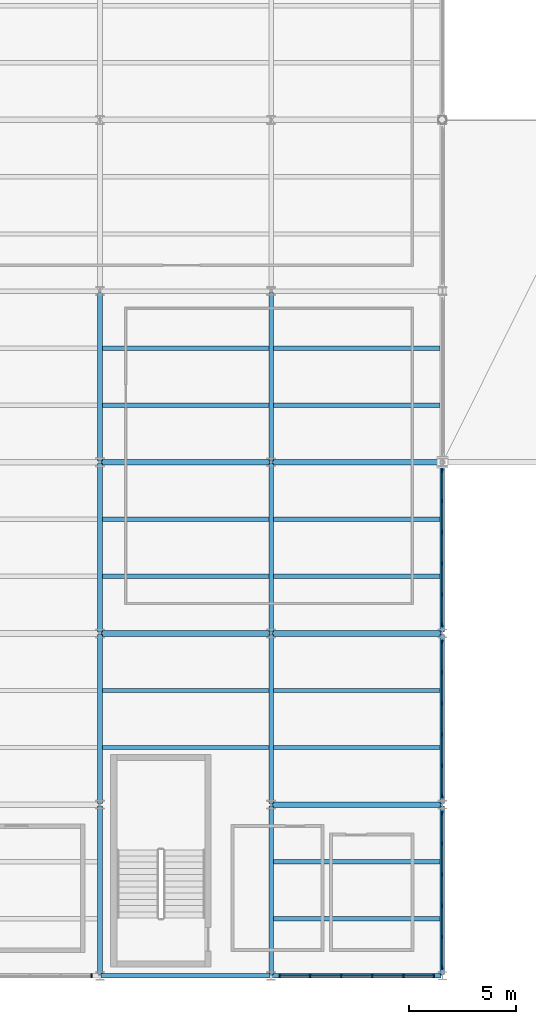
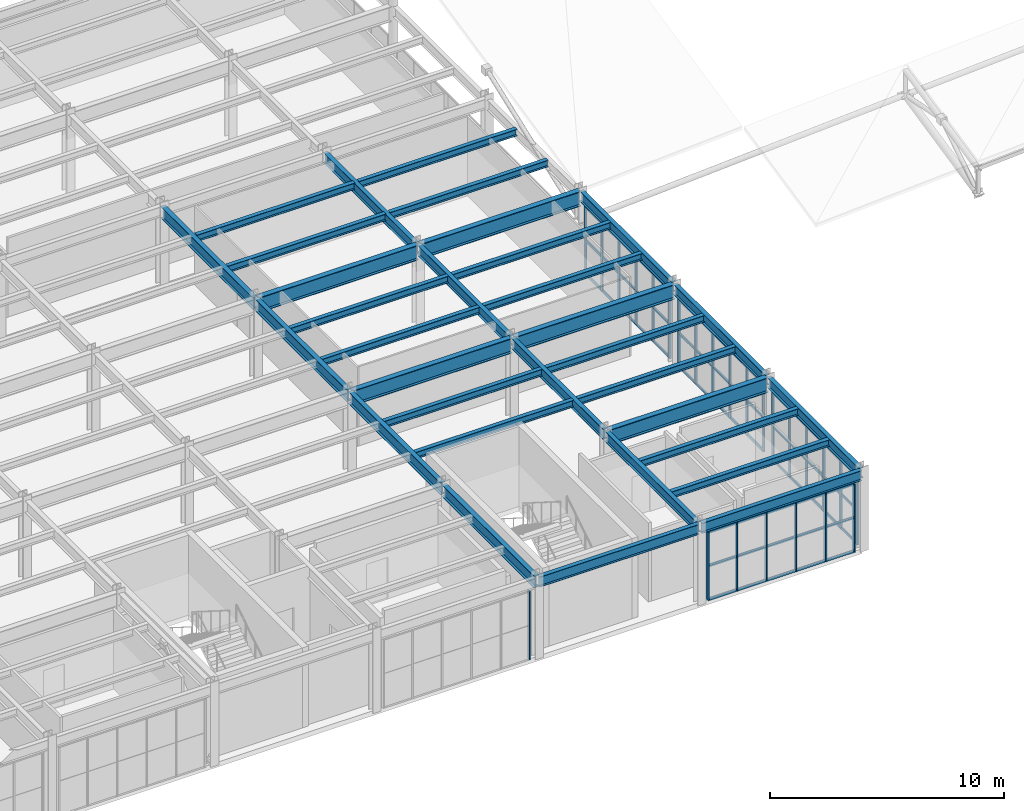
# One storey, part 16 of 83: 37 members, 32 beams, 5 elements without a shape of their own.
"""IFC4 building model written with IfcOpenShell, lengths in metres."""

import ifcopenshell
import ifcopenshell.guid

model = None  # the IFC model being written
_history = None  # IfcOwnerHistory: only IFC2X3 demands one
_inside = {}  # id of a spatial element -> (the spatial element, [elements in it])
_under = {}  # id of a project, library or spatial element -> (it, [spatial elements below it])
_declared = {}  # id of a project -> (the project, [libraries it declares])
_typed = {}  # id of a type object -> (the type object, [elements of that type])
_made_of = {}  # id of a material, layer set ... -> (it, [elements and type objects made of it])


def new_model(schema):
    """Start an empty IFC model of exactly this schema.

    Asked for "IFC4X3", IfcOpenShell would pick the latest addendum, in which some entities
    have other attributes; the version numbers below select the first issue.
    IFC2X3 requires an IfcOwnerHistory on every rooted entity: one is made here for all.
    """
    global model, _history
    if schema == "IFC4X3":
        model = ifcopenshell.file(schema_version=(4, 3, 0, 0))
    else:
        model = ifcopenshell.file(schema=schema)
    _inside.clear()
    _under.clear()
    _declared.clear()
    _typed.clear()
    _made_of.clear()
    _history = None
    if model.schema == "IFC2X3":
        org = make("IfcOrganization", Name="unknown")
        user = make(
            "IfcPersonAndOrganization",
            ThePerson=make("IfcPerson", FamilyName="unknown"),
            TheOrganization=org,
        )
        app = make(
            "IfcApplication",
            ApplicationDeveloper=org,
            Version="unknown",
            ApplicationFullName="unknown",
            ApplicationIdentifier="unknown",
        )
        _history = make(
            "IfcOwnerHistory",
            OwningUser=user,
            OwningApplication=app,
            ChangeAction="ADDED",
            CreationDate=0,
        )
    return model


def make(cls, **values):
    """One entity of the class cls with the attributes given. An attribute that is None is left unset."""
    return model.create_entity(
        cls, **{name: value for name, value in values.items() if value is not None}
    )


def rooted(cls, **values):
    """An entity with a GlobalId (a new one), such as an element, a storey or a relation."""
    return make(cls, GlobalId=ifcopenshell.guid.new(), OwnerHistory=_history, **values)


def si_unit(unit_type, name, prefix=None):
    """IfcSIUnit, for example si_unit("LENGTHUNIT", "METRE", prefix="MILLI")."""
    return make("IfcSIUnit", UnitType=unit_type, Prefix=prefix, Name=name)


def assignment(units):
    """IfcUnitAssignment: the units of a project."""
    return None if units is None else make("IfcUnitAssignment", Units=units)


def point(xyz):
    """IfcCartesianPoint."""
    return None if xyz is None else make("IfcCartesianPoint", Coordinates=xyz)


def direction(xyz):
    """IfcDirection."""
    return None if xyz is None else make("IfcDirection", DirectionRatios=xyz)


def frame(location, z_axis=None, x_axis=None):
    """IfcAxis2Placement3D, a coordinate frame: its origin and axes. An axis left out is left unset."""
    return make(
        "IfcAxis2Placement3D",
        Location=point(location),
        Axis=direction(z_axis),
        RefDirection=direction(x_axis),
    )


def frame_2d(location, x_axis=None):
    """IfcAxis2Placement2D, a coordinate frame in the plane: its origin and x axis."""
    return make(
        "IfcAxis2Placement2D", Location=point(location), RefDirection=direction(x_axis)
    )


def origin():
    """The frame at (0, 0, 0) with its axes left unset."""
    return frame((0.0, 0.0, 0.0))


def origin_2d():
    """The frame at (0, 0) in the plane with its x axis left unset."""
    return frame_2d((0.0, 0.0))


def place(relative_to, where):
    """IfcLocalPlacement: puts the frame where relative to a parent placement (None: the world)."""
    return make(
        "IfcLocalPlacement", PlacementRelTo=relative_to, RelativePlacement=where
    )


def context(
    kind, dimensions, precision=None, world=None, true_north=None, identifier=None
):
    """IfcGeometricRepresentationContext, for example the 3D "Model" context."""
    return make(
        "IfcGeometricRepresentationContext",
        ContextIdentifier=identifier,
        ContextType=kind,
        CoordinateSpaceDimension=dimensions,
        Precision=precision,
        WorldCoordinateSystem=world,
        TrueNorth=true_north,
    )


def subcontext(parent, identifier, kind, view, scale=None):
    """IfcGeometricRepresentationSubContext, for example "Body" below "Model"."""
    return make(
        "IfcGeometricRepresentationSubContext",
        ContextIdentifier=identifier,
        ContextType=kind,
        ParentContext=parent,
        TargetScale=scale,
        TargetView=view,
    )


def project(units=None, contexts=None):
    """IfcProject with its units and contexts."""
    return rooted(
        "IfcProject",
        Name="project",
        RepresentationContexts=contexts,
        UnitsInContext=assignment(units),
    )


def spatial(cls, under=None, at=None, **own):
    """A site, building, storey or space (cls), placed at a placement, below another one or the project."""
    s = rooted(cls, ObjectPlacement=at, **own)
    if under is not None:
        _under.setdefault(under.id(), (under, []))[1].append(s)
    return s


def profile(cls, at=None, kind="AREA", **sizes):
    """A parametric profile (cls). Its sizes go by their IFC names, for example OverallWidth=200.0."""
    return make(cls, ProfileType=kind, Position=at, **sizes)


def rectangle(**sizes):
    """IfcRectangleProfileDef."""
    return profile("IfcRectangleProfileDef", **sizes)


def i_section(**sizes):
    """IfcIShapeProfileDef."""
    return profile("IfcIShapeProfileDef", **sizes)


def extrude(swept, where, along, depth):
    """IfcExtrudedAreaSolid: the profile swept, set in the frame where, extruded along a direction by depth."""
    return make(
        "IfcExtrudedAreaSolid",
        SweptArea=swept,
        Position=where,
        ExtrudedDirection=direction(along),
        Depth=depth,
    )


def shape(context_of_items, identifier, shape_type, items):
    """IfcShapeRepresentation: the items that make up one representation, for example the "Body"."""
    return make(
        "IfcShapeRepresentation",
        ContextOfItems=context_of_items,
        RepresentationIdentifier=identifier,
        RepresentationType=shape_type,
        Items=items,
    )


def material(Name=None, Category=None):
    """IfcMaterial."""
    return make("IfcMaterial", Name=Name, Category=Category)


def material_profile(
    of_material, cross_section, Name=None, Category=None, Priority=None
):
    """IfcMaterialProfile: a cross section and its material."""
    return make(
        "IfcMaterialProfile",
        Name=Name,
        Material=of_material,
        Profile=cross_section,
        Priority=Priority,
        Category=Category,
    )


def profile_set(profiles, Name=None, composite=None):
    """IfcMaterialProfileSet."""
    return make(
        "IfcMaterialProfileSet",
        Name=Name,
        MaterialProfiles=profiles,
        CompositeProfile=composite,
    )


def made_of(thing, what):
    """Note that an element or type object is made of a material, layer set ...; save() writes the relation."""
    if what is not None:
        _made_of.setdefault(what.id(), (what, []))[1].append(thing)
    return thing


def type_object(cls, material=None, **own):
    """A type object (cls), such as IfcWallType, which elements share."""
    return made_of(rooted(cls, **own), material)


def element(
    cls,
    number,
    at=None,
    inside=None,
    cuts=None,
    type_object=None,
    material=None,
    context=None,
    identifier="Body",
    shape_type=None,
    held_by="IfcProductDefinitionShape",
    body=None,
    shapes=None,
    **own,
):
    """One element of the class cls, such as IfcWall. Its Tag is "e" and its number.

    at: its placement. inside: the storey or other place that contains it. cuts: it is an
    opening in that element (IfcRelVoidsElement). A single representation is given by context,
    identifier, shape_type and body (its items); several are given by shapes. held_by: the class
    of the entity that holds the representations. save() writes the other relations.
    """
    e = rooted(cls, Tag="e%d" % number, ObjectPlacement=at, **own)
    if body is not None:
        shapes = [shape(context, identifier, shape_type, body)]
    if shapes is not None:
        e.Representation = make(held_by, Representations=shapes)
    if inside is not None:
        _inside.setdefault(inside.id(), (inside, []))[1].append(e)
    if cuts is not None:
        rooted(
            "IfcRelVoidsElement", RelatingBuildingElement=cuts, RelatedOpeningElement=e
        )
    if type_object is not None:
        _typed.setdefault(type_object.id(), (type_object, []))[1].append(e)
    return made_of(e, material)


def aggregate(whole, parts):
    """IfcRelAggregates: a whole, such as a stair, and the parts it consists of."""
    return rooted("IfcRelAggregates", RelatingObject=whole, RelatedObjects=parts)


def save(model, path):
    """Write the relations noted so far, then the file.

    IfcRelAggregates (storeys below a building ...), IfcRelContainedInSpatialStructure (elements
    in a storey), IfcRelDefinesByType, IfcRelAssociatesMaterial and IfcRelDeclares: one each for
    every whole, place, type object, material and project.
    """
    for whole, parts in _under.values():
        aggregate(whole, parts)
    for where, things in _inside.values():
        rooted(
            "IfcRelContainedInSpatialStructure",
            RelatedElements=things,
            RelatingStructure=where,
        )
    for kind, things in _typed.values():
        rooted("IfcRelDefinesByType", RelatedObjects=things, RelatingType=kind)
    for what, things in _made_of.values():
        rooted("IfcRelAssociatesMaterial", RelatedObjects=things, RelatingMaterial=what)
    for by, libraries in _declared.values():
        rooted("IfcRelDeclares", RelatingContext=by, RelatedDefinitions=libraries)
    model.write(path)


model = new_model("IFC4")

# Units and contexts
model_context = context("Model", 3, precision=1e-05, world=origin(), true_north=direction((0.0, 1.0)))
body_context = subcontext(model_context, "Body", "Model", "MODEL_VIEW")
ifc_project = project(units=[si_unit("LENGTHUNIT", "METRE"), si_unit("AREAUNIT", "SQUARE_METRE"), si_unit("VOLUMEUNIT", "CUBIC_METRE"), si_unit("PLANEANGLEUNIT", "RADIAN"), si_unit("MASSUNIT", "GRAM", prefix="KILO")], contexts=[model_context])

# Site, building, storey
site_placement = place(None, origin())
site = spatial("IfcSite", under=ifc_project, at=site_placement, CompositionType="ELEMENT")
building_placement = place(site_placement, origin())
building = spatial("IfcBuilding", under=site, at=building_placement, Name="Drelvath Fold Interchange", CompositionType="ELEMENT")
storey_placement = place(building_placement, frame((0.0, 0.0, 11.199951171875)))
storey = spatial("IfcBuildingStorey", under=building, at=storey_placement, Name="L02", CompositionType="ELEMENT", Elevation=11.199951171875)

# Beams
ifc_material_1 = material(Name="Steel ASTM A992 Grade 50", Category="steel")
ifc_material_profile_1 = material_profile(ifc_material_1, i_section(OverallWidth=0.205078125, OverallDepth=0.35400390625, WebThickness=0.009521484375, FlangeThickness=0.016845703125, at=origin_2d()), Name="W14X53")
ifc_profile_set_1 = profile_set([ifc_material_profile_1], Name="Steel ASTM A992 Grade 50")
beam_type_1 = type_object("IfcBeamType", Name="BM-W14X53", PredefinedType="JOIST", material=ifc_profile_set_1)
for number, where, z_axis, x_axis, name in (
    (1, (36.113037109375, 13.6669921875, 3.9931640625), (1.0, 0.0, 0.0), (0.0, 1.0, 0.0), "L02 Secondary floor joist BM-W14X53"),
    (2, (36.113037109375, 16.3330078125, 3.9931640625), (1.0, 0.0, 0.0), (0.0, 1.0, 0.0), "L02 Secondary floor joist BM-W14X53"),
    (3, (36.113037109375, 21.6669921875, 3.9931640625), (1.0, 0.0, 0.0), (0.0, 1.0, 0.0), "L02 Secondary floor joist BM-W14X53"),
    (4, (36.113037109375, 24.3330078125, 3.9931640625), (1.0, 0.0, 0.0), (0.0, 1.0, 0.0), "L02 Secondary floor joist BM-W14X53"),
    (5, (36.113037109375, 29.6669921875, 3.9931640625), (1.0, 0.0, 0.0), (0.0, 1.0, 0.0), "L02 Secondary floor joist BM-W14X53"),
    (6, (36.113037109375, 32.3330078125, 3.9931640625), (1.0, 0.0, 0.0), (0.0, 1.0, 0.0), "L02 Secondary floor joist BM-W14X53"),
):
    element("IfcBeam", number, at=place(storey_placement, frame(where, z_axis=z_axis, x_axis=x_axis)), inside=storey, type_object=beam_type_1, Name=name, PredefinedType="JOIST", context=body_context, shape_type="SweptSolid", body=[
        extrude(i_section(OverallWidth=0.205078125, OverallDepth=0.35400390625, WebThickness=0.009521484375, FlangeThickness=0.016845703125, at=origin_2d()), origin(), (0.0, 0.0, 1.0), 7.783935546875),
    ])
for number, where, z_axis, x_axis, name in (
    (7, (44.10302734375, 5.6669921875, 3.9931640625), (1.0, 0.0, 0.0), (0.0, 1.0, 0.0), "L02 Secondary floor joist BM-W14X53"),
    (8, (44.10302734375, 8.3330078125, 3.9931640625), (1.0, 0.0, 0.0), (0.0, 1.0, 0.0), "L02 Secondary floor joist BM-W14X53"),
    (9, (44.10302734375, 13.6669921875, 3.9931640625), (1.0, 0.0, 0.0), (0.0, 1.0, 0.0), "L02 Secondary floor joist BM-W14X53"),
    (10, (44.10302734375, 16.3330078125, 3.9931640625), (1.0, 0.0, 0.0), (0.0, 1.0, 0.0), "L02 Secondary floor joist BM-W14X53"),
    (11, (44.10302734375, 21.6669921875, 3.9931640625), (1.0, 0.0, 0.0), (0.0, 1.0, 0.0), "L02 Secondary floor joist BM-W14X53"),
    (12, (44.10302734375, 24.3330078125, 3.9931640625), (1.0, 0.0, 0.0), (0.0, 1.0, 0.0), "L02 Secondary floor joist BM-W14X53"),
    (13, (44.10302734375, 29.6669921875, 3.9931640625), (1.0, 0.0, 0.0), (0.0, 1.0, 0.0), "L02 Secondary floor joist BM-W14X53"),
    (14, (44.10302734375, 32.3330078125, 3.9931640625), (1.0, 0.0, 0.0), (0.0, 1.0, 0.0), "L02 Secondary floor joist BM-W14X53"),
):
    element("IfcBeam", number, at=place(storey_placement, frame(where, z_axis=z_axis, x_axis=x_axis)), inside=storey, type_object=beam_type_1, Name=name, PredefinedType="JOIST", context=body_context, shape_type="SweptSolid", body=[
        extrude(i_section(OverallWidth=0.205078125, OverallDepth=0.35400390625, WebThickness=0.009521484375, FlangeThickness=0.016845703125, at=origin_2d()), origin(), (0.0, 0.0, 1.0), 7.7939453125),
    ])
ifc_material_profile_2 = material_profile(ifc_material_1, i_section(OverallWidth=0.2099609375, OverallDepth=0.537109375, WebThickness=0.010986328125, FlangeThickness=0.017333984375, at=origin_2d()), Name="W21X68")
ifc_profile_set_2 = profile_set([ifc_material_profile_2], Name="Steel ASTM A992 Grade 50")
beam_type_2 = type_object("IfcBeamType", Name="BM-W21X68", PredefinedType="SPANDREL", material=ifc_profile_set_2)
for number, where, z_axis, x_axis, name in (
    (15, (36.06005859375, 3.0, 3.901123046875), (1.0, 0.0, 0.0), (0.0, 1.0, 0.0), "L02 Primary X girder BM-W21X68"),
    (16, (44.06005859375, 3.0, 3.901123046875), (1.0, 0.0, 0.0), (0.0, 1.0, 0.0), "L02 Primary X girder BM-W21X68"),
    (17, (44.0, 3.06005859375, 3.901123046875), (0.0, 1.0, 0.0), (-1.0, 0.0, 0.0), "L02 Primary Y girder BM-W21X68"),
    (18, (44.0, 11.06005859375, 3.901123046875), (0.0, 1.0, 0.0), (-1.0, 0.0, 0.0), "L02 Primary Y girder BM-W21X68"),
    (19, (44.0, 19.06005859375, 3.901123046875), (0.0, 1.0, 0.0), (-1.0, 0.0, 0.0), "L02 Primary Y girder BM-W21X68"),
    (20, (44.0, 27.06005859375, 3.85205078125), (0.0, 1.0, 0.0), (-1.0, 0.0, 0.0), "L02 Primary Y girder BM-W21X68"),
    (21, (52.0, 3.06005859375, 3.901123046875), (0.0, 1.0, 0.0), (-1.0, 0.0, 0.0), "L02 Primary Y girder BM-W21X68"),
    (22, (52.0, 11.06005859375, 3.901123046875), (0.0, 1.0, 0.0), (-1.0, 0.0, 0.0), "L02 Primary Y girder BM-W21X68"),
    (23, (52.0, 19.06005859375, 3.901123046875), (0.0, 1.0, 0.0), (-1.0, 0.0, 0.0), "L02 Primary Y girder BM-W21X68"),
):
    element("IfcBeam", number, at=place(storey_placement, frame(where, z_axis=z_axis, x_axis=x_axis)), inside=storey, type_object=beam_type_2, Name=name, PredefinedType="SPANDREL", context=body_context, shape_type="SweptSolid", body=[
        extrude(i_section(OverallWidth=0.2099609375, OverallDepth=0.537109375, WebThickness=0.010986328125, FlangeThickness=0.017333984375, at=origin_2d()), origin(), (0.0, 0.0, 1.0), 7.8798828125),
    ])
ifc_material_profile_3 = material_profile(ifc_material_1, i_section(OverallWidth=0.22998046875, OverallDepth=0.616943359375, WebThickness=0.01318359375, FlangeThickness=0.022216796875, at=origin_2d()), Name="W24X94")
ifc_profile_set_3 = profile_set([ifc_material_profile_3], Name="Steel ASTM A992 Grade 50")
beam_type_3 = type_object("IfcBeamType", Name="BM-W24X94", PredefinedType="BEAM", material=ifc_profile_set_3)
for number, where, z_axis, x_axis, name in (
    (24, (36.0, 3.06005859375, 3.861083984375), (0.0, 1.0, 0.0), (-1.0, 0.0, 0.0), "L02 Primary Y girder BM-W24X94"),
    (25, (36.0, 11.06005859375, 3.861083984375), (0.0, 1.0, 0.0), (-1.0, 0.0, 0.0), "L02 Primary Y girder BM-W24X94"),
    (26, (36.0, 19.06005859375, 3.861083984375), (0.0, 1.0, 0.0), (-1.0, 0.0, 0.0), "L02 Primary Y girder BM-W24X94"),
    (27, (36.0, 27.06005859375, 3.81103515625), (0.0, 1.0, 0.0), (-1.0, 0.0, 0.0), "L02 Primary Y girder BM-W24X94"),
):
    element("IfcBeam", number, at=place(storey_placement, frame(where, z_axis=z_axis, x_axis=x_axis)), inside=storey, type_object=beam_type_3, Name=name, PredefinedType="BEAM", context=body_context, shape_type="SweptSolid", body=[
        extrude(i_section(OverallWidth=0.22998046875, OverallDepth=0.616943359375, WebThickness=0.01318359375, FlangeThickness=0.022216796875, at=origin_2d()), origin(), (0.0, 0.0, 1.0), 7.8798828125),
    ])
ifc_material_profile_4 = material_profile(ifc_material_1, i_section(OverallWidth=0.26611328125, OverallDepth=0.779052734375, WebThickness=0.0166015625, FlangeThickness=0.030029296875, at=origin_2d()), Name="W30X148")
ifc_profile_set_4 = profile_set([ifc_material_profile_4], Name="Steel ASTM A992 Grade 50")
beam_type_4 = type_object("IfcBeamType", Name="BM-W30X148", PredefinedType="BEAM", material=ifc_profile_set_4)
for number, where, z_axis, x_axis, name in (
    (28, (44.06005859375, 11.0, 3.780029296875), (1.0, 0.0, 0.0), (0.0, 1.0, 0.0), "L02 Primary X girder BM-W30X148"),
    (29, (36.06005859375, 19.0, 3.780029296875), (1.0, 0.0, 0.0), (0.0, 1.0, 0.0), "L02 Primary X girder BM-W30X148"),
    (30, (44.06005859375, 19.0, 3.780029296875), (1.0, 0.0, 0.0), (0.0, 1.0, 0.0), "L02 Primary X girder BM-W30X148"),
    (31, (36.06005859375, 27.0, 3.780029296875), (1.0, 0.0, 0.0), (0.0, 1.0, 0.0), "L02 Primary X girder BM-W30X148"),
    (32, (44.06005859375, 27.0, 3.780029296875), (1.0, 0.0, 0.0), (0.0, 1.0, 0.0), "L02 Primary X girder BM-W30X148"),
):
    element("IfcBeam", number, at=place(storey_placement, frame(where, z_axis=z_axis, x_axis=x_axis)), inside=storey, type_object=beam_type_4, Name=name, PredefinedType="BEAM", context=body_context, shape_type="SweptSolid", body=[
        extrude(i_section(OverallWidth=0.26611328125, OverallDepth=0.779052734375, WebThickness=0.0166015625, FlangeThickness=0.030029296875, at=origin_2d()), origin(), (0.0, 0.0, 1.0), 7.8798828125),
    ])

# Curtain wall, member
ifc_material_2 = material(Name="Anodized Aluminium 6063-T6", Category="aluminium")
curtain_wall_type = type_object("IfcCurtainWallType", Name="CW-OPS-UPP", PredefinedType="USERDEFINED", material=ifc_material_2)
curtain_wall_1_placement = place(storey_placement, origin())
curtain_wall_1 = element("IfcCurtainWall", 33, at=curtain_wall_1_placement, inside=storey, type_object=curtain_wall_type, Name="Curtain wall CW-V5-L02-S28", ObjectType="UNITISED CURTAIN WALL", PredefinedType="USERDEFINED")
ifc_material_profile_5 = material_profile(ifc_material_2, rectangle(XDim=0.06005859375, YDim=0.175048828125, at=origin_2d()), Name="AL-M 60x175")
ifc_profile_set_5 = profile_set([ifc_material_profile_5], Name="Anodized Aluminium 6063-T6")
member_type_1 = type_object("IfcMemberType", Name="ML-175", PredefinedType="MULLION", material=ifc_profile_set_5)
member_1_placement = place(storey_placement, frame((35.60009765625, 3.0, 0.0), z_axis=(0.0, 0.0, 1.0), x_axis=(1.0, 0.0, 0.0)))
member_1 = element("IfcMember", 34, at=member_1_placement, type_object=member_type_1, Name="CW-V5-L02-S28 mullion 5", PredefinedType="MULLION", context=body_context, shape_type="SweptSolid", body=[
    extrude(rectangle(XDim=0.06005859375, YDim=0.175048828125, at=origin_2d()), origin(), (0.0, 0.0, 1.0), 3.550048828125),
])
aggregate(curtain_wall_1, [member_1])

# Curtain wall, members
curtain_wall_2_placement = place(storey_placement, origin())
curtain_wall_2 = element("IfcCurtainWall", 35, at=curtain_wall_2_placement, inside=storey, type_object=curtain_wall_type, Name="Curtain wall CW-V5-L02-S44", ObjectType="UNITISED CURTAIN WALL", PredefinedType="USERDEFINED")
member_2_placement = place(storey_placement, frame((44.39990234375, 3.0, 0.0), z_axis=(0.0, 0.0, 1.0), x_axis=(1.0, 0.0, 0.0)))
member_2 = element("IfcMember", 36, at=member_2_placement, type_object=member_type_1, Name="CW-V5-L02-S44 mullion 0", PredefinedType="MULLION", context=body_context, shape_type="SweptSolid", body=[
    extrude(rectangle(XDim=0.06005859375, YDim=0.175048828125, at=origin_2d()), origin(), (0.0, 0.0, 1.0), 3.550048828125),
])
member_3_placement = place(storey_placement, frame((45.81591796875, 3.0, 0.0), z_axis=(0.0, 0.0, 1.0), x_axis=(1.0, 0.0, 0.0)))
member_3 = element("IfcMember", 37, at=member_3_placement, type_object=member_type_1, Name="CW-V5-L02-S44 mullion 1", PredefinedType="MULLION", context=body_context, shape_type="SweptSolid", body=[
    extrude(rectangle(XDim=0.06005859375, YDim=0.175048828125, at=origin_2d()), origin(), (0.0, 0.0, 1.0), 3.550048828125),
])
member_4_placement = place(storey_placement, frame((47.27197265625, 3.0, 0.0), z_axis=(0.0, 0.0, 1.0), x_axis=(1.0, 0.0, 0.0)))
member_4 = element("IfcMember", 38, at=member_4_placement, type_object=member_type_1, Name="CW-V5-L02-S44 mullion 2", PredefinedType="MULLION", context=body_context, shape_type="SweptSolid", body=[
    extrude(rectangle(XDim=0.06005859375, YDim=0.175048828125, at=origin_2d()), origin(), (0.0, 0.0, 1.0), 3.550048828125),
])
member_5_placement = place(storey_placement, frame((48.72802734375, 3.0, 0.0), z_axis=(0.0, 0.0, 1.0), x_axis=(1.0, 0.0, 0.0)))
member_5 = element("IfcMember", 39, at=member_5_placement, type_object=member_type_1, Name="CW-V5-L02-S44 mullion 3", PredefinedType="MULLION", context=body_context, shape_type="SweptSolid", body=[
    extrude(rectangle(XDim=0.06005859375, YDim=0.175048828125, at=origin_2d()), origin(), (0.0, 0.0, 1.0), 3.550048828125),
])
member_6_placement = place(storey_placement, frame((50.18408203125, 3.0, 0.0), z_axis=(0.0, 0.0, 1.0), x_axis=(1.0, 0.0, 0.0)))
member_6 = element("IfcMember", 40, at=member_6_placement, type_object=member_type_1, Name="CW-V5-L02-S44 mullion 4", PredefinedType="MULLION", context=body_context, shape_type="SweptSolid", body=[
    extrude(rectangle(XDim=0.06005859375, YDim=0.175048828125, at=origin_2d()), origin(), (0.0, 0.0, 1.0), 3.550048828125),
])
member_7_placement = place(storey_placement, frame((51.60009765625, 3.0, 0.0), z_axis=(0.0, 0.0, 1.0), x_axis=(1.0, 0.0, 0.0)))
member_7 = element("IfcMember", 41, at=member_7_placement, type_object=member_type_1, Name="CW-V5-L02-S44 mullion 5", PredefinedType="MULLION", context=body_context, shape_type="SweptSolid", body=[
    extrude(rectangle(XDim=0.06005859375, YDim=0.175048828125, at=origin_2d()), origin(), (0.0, 0.0, 1.0), 3.550048828125),
])

curtain_wall_3_placement = place(storey_placement, origin())
curtain_wall_3 = element("IfcCurtainWall", 42, at=curtain_wall_3_placement, inside=storey, type_object=curtain_wall_type, Name="Curtain wall CW-V5-L02-E3", ObjectType="UNITISED CURTAIN WALL", PredefinedType="USERDEFINED")
member_8_placement = place(storey_placement, frame((52.0, 3.39990234375, 0.0), z_axis=(0.0, 0.0, 1.0), x_axis=(1.0, 0.0, 0.0)))
member_8 = element("IfcMember", 43, at=member_8_placement, type_object=member_type_1, Name="CW-V5-L02-E3 mullion 0", PredefinedType="MULLION", context=body_context, shape_type="SweptSolid", body=[
    extrude(rectangle(XDim=0.06005859375, YDim=0.175048828125, at=origin_2d()), origin(), (0.0, 0.0, 1.0), 3.550048828125),
])
member_9_placement = place(storey_placement, frame((52.0, 4.81591796875, 0.0), z_axis=(0.0, 0.0, 1.0), x_axis=(1.0, 0.0, 0.0)))
member_9 = element("IfcMember", 44, at=member_9_placement, type_object=member_type_1, Name="CW-V5-L02-E3 mullion 1", PredefinedType="MULLION", context=body_context, shape_type="SweptSolid", body=[
    extrude(rectangle(XDim=0.06005859375, YDim=0.175048828125, at=origin_2d()), origin(), (0.0, 0.0, 1.0), 3.550048828125),
])
member_10_placement = place(storey_placement, frame((52.0, 6.27197265625, 0.0), z_axis=(0.0, 0.0, 1.0), x_axis=(1.0, 0.0, 0.0)))
member_10 = element("IfcMember", 45, at=member_10_placement, type_object=member_type_1, Name="CW-V5-L02-E3 mullion 2", PredefinedType="MULLION", context=body_context, shape_type="SweptSolid", body=[
    extrude(rectangle(XDim=0.06005859375, YDim=0.175048828125, at=origin_2d()), origin(), (0.0, 0.0, 1.0), 3.550048828125),
])
member_11_placement = place(storey_placement, frame((52.0, 7.72802734375, 0.0), z_axis=(0.0, 0.0, 1.0), x_axis=(1.0, 0.0, 0.0)))
member_11 = element("IfcMember", 46, at=member_11_placement, type_object=member_type_1, Name="CW-V5-L02-E3 mullion 3", PredefinedType="MULLION", context=body_context, shape_type="SweptSolid", body=[
    extrude(rectangle(XDim=0.06005859375, YDim=0.175048828125, at=origin_2d()), origin(), (0.0, 0.0, 1.0), 3.550048828125),
])
member_12_placement = place(storey_placement, frame((52.0, 9.18408203125, 0.0), z_axis=(0.0, 0.0, 1.0), x_axis=(1.0, 0.0, 0.0)))
member_12 = element("IfcMember", 47, at=member_12_placement, type_object=member_type_1, Name="CW-V5-L02-E3 mullion 4", PredefinedType="MULLION", context=body_context, shape_type="SweptSolid", body=[
    extrude(rectangle(XDim=0.06005859375, YDim=0.175048828125, at=origin_2d()), origin(), (0.0, 0.0, 1.0), 3.550048828125),
])
member_13_placement = place(storey_placement, frame((52.0, 10.60009765625, 0.0), z_axis=(0.0, 0.0, 1.0), x_axis=(1.0, 0.0, 0.0)))
member_13 = element("IfcMember", 48, at=member_13_placement, type_object=member_type_1, Name="CW-V5-L02-E3 mullion 5", PredefinedType="MULLION", context=body_context, shape_type="SweptSolid", body=[
    extrude(rectangle(XDim=0.06005859375, YDim=0.175048828125, at=origin_2d()), origin(), (0.0, 0.0, 1.0), 3.550048828125),
])

curtain_wall_4_placement = place(storey_placement, origin())
curtain_wall_4 = element("IfcCurtainWall", 49, at=curtain_wall_4_placement, inside=storey, type_object=curtain_wall_type, Name="Curtain wall CW-V5-L02-E11", ObjectType="UNITISED CURTAIN WALL", PredefinedType="USERDEFINED")
member_14_placement = place(storey_placement, frame((52.0, 11.39990234375, 0.0), z_axis=(0.0, 0.0, 1.0), x_axis=(1.0, 0.0, 0.0)))
member_14 = element("IfcMember", 50, at=member_14_placement, type_object=member_type_1, Name="CW-V5-L02-E11 mullion 0", PredefinedType="MULLION", context=body_context, shape_type="SweptSolid", body=[
    extrude(rectangle(XDim=0.06005859375, YDim=0.175048828125, at=origin_2d()), origin(), (0.0, 0.0, 1.0), 3.550048828125),
])
member_15_placement = place(storey_placement, frame((52.0, 12.81591796875, 0.0), z_axis=(0.0, 0.0, 1.0), x_axis=(1.0, 0.0, 0.0)))
member_15 = element("IfcMember", 51, at=member_15_placement, type_object=member_type_1, Name="CW-V5-L02-E11 mullion 1", PredefinedType="MULLION", context=body_context, shape_type="SweptSolid", body=[
    extrude(rectangle(XDim=0.06005859375, YDim=0.175048828125, at=origin_2d()), origin(), (0.0, 0.0, 1.0), 3.550048828125),
])
member_16_placement = place(storey_placement, frame((52.0, 14.27197265625, 0.0), z_axis=(0.0, 0.0, 1.0), x_axis=(1.0, 0.0, 0.0)))
member_16 = element("IfcMember", 52, at=member_16_placement, type_object=member_type_1, Name="CW-V5-L02-E11 mullion 2", PredefinedType="MULLION", context=body_context, shape_type="SweptSolid", body=[
    extrude(rectangle(XDim=0.06005859375, YDim=0.175048828125, at=origin_2d()), origin(), (0.0, 0.0, 1.0), 3.550048828125),
])
member_17_placement = place(storey_placement, frame((52.0, 15.72802734375, 0.0), z_axis=(0.0, 0.0, 1.0), x_axis=(1.0, 0.0, 0.0)))
member_17 = element("IfcMember", 53, at=member_17_placement, type_object=member_type_1, Name="CW-V5-L02-E11 mullion 3", PredefinedType="MULLION", context=body_context, shape_type="SweptSolid", body=[
    extrude(rectangle(XDim=0.06005859375, YDim=0.175048828125, at=origin_2d()), origin(), (0.0, 0.0, 1.0), 3.550048828125),
])
member_18_placement = place(storey_placement, frame((52.0, 17.18408203125, 0.0), z_axis=(0.0, 0.0, 1.0), x_axis=(1.0, 0.0, 0.0)))
member_18 = element("IfcMember", 54, at=member_18_placement, type_object=member_type_1, Name="CW-V5-L02-E11 mullion 4", PredefinedType="MULLION", context=body_context, shape_type="SweptSolid", body=[
    extrude(rectangle(XDim=0.06005859375, YDim=0.175048828125, at=origin_2d()), origin(), (0.0, 0.0, 1.0), 3.550048828125),
])
member_19_placement = place(storey_placement, frame((52.0, 18.60009765625, 0.0), z_axis=(0.0, 0.0, 1.0), x_axis=(1.0, 0.0, 0.0)))
member_19 = element("IfcMember", 55, at=member_19_placement, type_object=member_type_1, Name="CW-V5-L02-E11 mullion 5", PredefinedType="MULLION", context=body_context, shape_type="SweptSolid", body=[
    extrude(rectangle(XDim=0.06005859375, YDim=0.175048828125, at=origin_2d()), origin(), (0.0, 0.0, 1.0), 3.550048828125),
])

curtain_wall_5_placement = place(storey_placement, origin())
curtain_wall_5 = element("IfcCurtainWall", 56, at=curtain_wall_5_placement, inside=storey, type_object=curtain_wall_type, Name="Curtain wall CW-V5-L02-E19", ObjectType="UNITISED CURTAIN WALL", PredefinedType="USERDEFINED")
member_20_placement = place(storey_placement, frame((52.0, 19.39990234375, 0.0), z_axis=(0.0, 0.0, 1.0), x_axis=(1.0, 0.0, 0.0)))
member_20 = element("IfcMember", 57, at=member_20_placement, type_object=member_type_1, Name="CW-V5-L02-E19 mullion 0", PredefinedType="MULLION", context=body_context, shape_type="SweptSolid", body=[
    extrude(rectangle(XDim=0.06005859375, YDim=0.175048828125, at=origin_2d()), origin(), (0.0, 0.0, 1.0), 3.550048828125),
])
member_21_placement = place(storey_placement, frame((52.0, 20.81591796875, 0.0), z_axis=(0.0, 0.0, 1.0), x_axis=(1.0, 0.0, 0.0)))
member_21 = element("IfcMember", 58, at=member_21_placement, type_object=member_type_1, Name="CW-V5-L02-E19 mullion 1", PredefinedType="MULLION", context=body_context, shape_type="SweptSolid", body=[
    extrude(rectangle(XDim=0.06005859375, YDim=0.175048828125, at=origin_2d()), origin(), (0.0, 0.0, 1.0), 3.550048828125),
])
member_22_placement = place(storey_placement, frame((52.0, 22.27197265625, 0.0), z_axis=(0.0, 0.0, 1.0), x_axis=(1.0, 0.0, 0.0)))
member_22 = element("IfcMember", 59, at=member_22_placement, type_object=member_type_1, Name="CW-V5-L02-E19 mullion 2", PredefinedType="MULLION", context=body_context, shape_type="SweptSolid", body=[
    extrude(rectangle(XDim=0.06005859375, YDim=0.175048828125, at=origin_2d()), origin(), (0.0, 0.0, 1.0), 3.550048828125),
])
member_23_placement = place(storey_placement, frame((52.0, 23.72802734375, 0.0), z_axis=(0.0, 0.0, 1.0), x_axis=(1.0, 0.0, 0.0)))
member_23 = element("IfcMember", 60, at=member_23_placement, type_object=member_type_1, Name="CW-V5-L02-E19 mullion 3", PredefinedType="MULLION", context=body_context, shape_type="SweptSolid", body=[
    extrude(rectangle(XDim=0.06005859375, YDim=0.175048828125, at=origin_2d()), origin(), (0.0, 0.0, 1.0), 3.550048828125),
])
member_24_placement = place(storey_placement, frame((52.0, 25.18408203125, 0.0), z_axis=(0.0, 0.0, 1.0), x_axis=(1.0, 0.0, 0.0)))
member_24 = element("IfcMember", 61, at=member_24_placement, type_object=member_type_1, Name="CW-V5-L02-E19 mullion 4", PredefinedType="MULLION", context=body_context, shape_type="SweptSolid", body=[
    extrude(rectangle(XDim=0.06005859375, YDim=0.175048828125, at=origin_2d()), origin(), (0.0, 0.0, 1.0), 3.550048828125),
])
member_25_placement = place(storey_placement, frame((52.0, 26.60009765625, 0.0), z_axis=(0.0, 0.0, 1.0), x_axis=(1.0, 0.0, 0.0)))
member_25 = element("IfcMember", 62, at=member_25_placement, type_object=member_type_1, Name="CW-V5-L02-E19 mullion 5", PredefinedType="MULLION", context=body_context, shape_type="SweptSolid", body=[
    extrude(rectangle(XDim=0.06005859375, YDim=0.175048828125, at=origin_2d()), origin(), (0.0, 0.0, 1.0), 3.550048828125),
])

# Member
ifc_material_profile_6 = material_profile(ifc_material_2, rectangle(XDim=0.06005859375, YDim=0.139892578125, at=origin_2d()), Name="AL-T 60x140")
ifc_profile_set_6 = profile_set([ifc_material_profile_6], Name="Anodized Aluminium 6063-T6")
member_type_2 = type_object("IfcMemberType", Name="TR-140", PredefinedType="USERDEFINED", material=ifc_profile_set_6)
member_26_placement = place(storey_placement, frame((44.39990234375, 3.0, 0.030029296875), z_axis=(1.0, 0.0, 0.0), x_axis=(0.0, 1.0, 0.0)))
member_26 = element("IfcMember", 63, at=member_26_placement, type_object=member_type_2, Name="CW-V5-L02-S44 transom 0", ObjectType="TRANSOM", PredefinedType="USERDEFINED", context=body_context, shape_type="SweptSolid", body=[
    extrude(rectangle(XDim=0.06005859375, YDim=0.139892578125, at=origin_2d()), origin(), (0.0, 0.0, 1.0), 7.2001953125),
])

member_27_placement = place(storey_placement, frame((44.39990234375, 3.0, 1.775146484375), z_axis=(1.0, 0.0, 0.0), x_axis=(0.0, 1.0, 0.0)))
member_27 = element("IfcMember", 64, at=member_27_placement, type_object=member_type_2, Name="CW-V5-L02-S44 transom 1", ObjectType="TRANSOM", PredefinedType="USERDEFINED", context=body_context, shape_type="SweptSolid", body=[
    extrude(rectangle(XDim=0.06005859375, YDim=0.139892578125, at=origin_2d()), origin(), (0.0, 0.0, 1.0), 7.2001953125),
])

member_28_placement = place(storey_placement, frame((44.39990234375, 3.0, 3.52001953125), z_axis=(1.0, 0.0, 0.0), x_axis=(0.0, 1.0, 0.0)))
member_28 = element("IfcMember", 65, at=member_28_placement, type_object=member_type_2, Name="CW-V5-L02-S44 transom 2", ObjectType="TRANSOM", PredefinedType="USERDEFINED", context=body_context, shape_type="SweptSolid", body=[
    extrude(rectangle(XDim=0.06005859375, YDim=0.139892578125, at=origin_2d()), origin(), (0.0, 0.0, 1.0), 7.2001953125),
])

aggregate(curtain_wall_2, [member_2, member_3, member_4, member_5, member_6, member_7, member_26, member_27, member_28])

member_29_placement = place(storey_placement, frame((52.0, 3.39990234375, 0.030029296875), z_axis=(0.0, 1.0, 0.0), x_axis=(-1.0, 0.0, 0.0)))
member_29 = element("IfcMember", 66, at=member_29_placement, type_object=member_type_2, Name="CW-V5-L02-E3 transom 0", ObjectType="TRANSOM", PredefinedType="USERDEFINED", context=body_context, shape_type="SweptSolid", body=[
    extrude(rectangle(XDim=0.06005859375, YDim=0.139892578125, at=origin_2d()), origin(), (0.0, 0.0, 1.0), 7.2001953125),
])

member_30_placement = place(storey_placement, frame((52.0, 3.39990234375, 1.775146484375), z_axis=(0.0, 1.0, 0.0), x_axis=(-1.0, 0.0, 0.0)))
member_30 = element("IfcMember", 67, at=member_30_placement, type_object=member_type_2, Name="CW-V5-L02-E3 transom 1", ObjectType="TRANSOM", PredefinedType="USERDEFINED", context=body_context, shape_type="SweptSolid", body=[
    extrude(rectangle(XDim=0.06005859375, YDim=0.139892578125, at=origin_2d()), origin(), (0.0, 0.0, 1.0), 7.2001953125),
])

member_31_placement = place(storey_placement, frame((52.0, 3.39990234375, 3.52001953125), z_axis=(0.0, 1.0, 0.0), x_axis=(-1.0, 0.0, 0.0)))
member_31 = element("IfcMember", 68, at=member_31_placement, type_object=member_type_2, Name="CW-V5-L02-E3 transom 2", ObjectType="TRANSOM", PredefinedType="USERDEFINED", context=body_context, shape_type="SweptSolid", body=[
    extrude(rectangle(XDim=0.06005859375, YDim=0.139892578125, at=origin_2d()), origin(), (0.0, 0.0, 1.0), 7.2001953125),
])

aggregate(curtain_wall_3, [member_8, member_9, member_10, member_11, member_12, member_13, member_29, member_30, member_31])

member_32_placement = place(storey_placement, frame((52.0, 11.39990234375, 0.030029296875), z_axis=(0.0, 1.0, 0.0), x_axis=(-1.0, 0.0, 0.0)))
member_32 = element("IfcMember", 69, at=member_32_placement, type_object=member_type_2, Name="CW-V5-L02-E11 transom 0", ObjectType="TRANSOM", PredefinedType="USERDEFINED", context=body_context, shape_type="SweptSolid", body=[
    extrude(rectangle(XDim=0.06005859375, YDim=0.139892578125, at=origin_2d()), origin(), (0.0, 0.0, 1.0), 7.2001953125),
])

member_33_placement = place(storey_placement, frame((52.0, 11.39990234375, 1.775146484375), z_axis=(0.0, 1.0, 0.0), x_axis=(-1.0, 0.0, 0.0)))
member_33 = element("IfcMember", 70, at=member_33_placement, type_object=member_type_2, Name="CW-V5-L02-E11 transom 1", ObjectType="TRANSOM", PredefinedType="USERDEFINED", context=body_context, shape_type="SweptSolid", body=[
    extrude(rectangle(XDim=0.06005859375, YDim=0.139892578125, at=origin_2d()), origin(), (0.0, 0.0, 1.0), 7.2001953125),
])

member_34_placement = place(storey_placement, frame((52.0, 11.39990234375, 3.52001953125), z_axis=(0.0, 1.0, 0.0), x_axis=(-1.0, 0.0, 0.0)))
member_34 = element("IfcMember", 71, at=member_34_placement, type_object=member_type_2, Name="CW-V5-L02-E11 transom 2", ObjectType="TRANSOM", PredefinedType="USERDEFINED", context=body_context, shape_type="SweptSolid", body=[
    extrude(rectangle(XDim=0.06005859375, YDim=0.139892578125, at=origin_2d()), origin(), (0.0, 0.0, 1.0), 7.2001953125),
])

aggregate(curtain_wall_4, [member_14, member_15, member_16, member_17, member_18, member_19, member_32, member_33, member_34])

member_35_placement = place(storey_placement, frame((52.0, 19.39990234375, 0.030029296875), z_axis=(0.0, 1.0, 0.0), x_axis=(-1.0, 0.0, 0.0)))
member_35 = element("IfcMember", 72, at=member_35_placement, type_object=member_type_2, Name="CW-V5-L02-E19 transom 0", ObjectType="TRANSOM", PredefinedType="USERDEFINED", context=body_context, shape_type="SweptSolid", body=[
    extrude(rectangle(XDim=0.06005859375, YDim=0.139892578125, at=origin_2d()), origin(), (0.0, 0.0, 1.0), 7.2001953125),
])

member_36_placement = place(storey_placement, frame((52.0, 19.39990234375, 1.775146484375), z_axis=(0.0, 1.0, 0.0), x_axis=(-1.0, 0.0, 0.0)))
member_36 = element("IfcMember", 73, at=member_36_placement, type_object=member_type_2, Name="CW-V5-L02-E19 transom 1", ObjectType="TRANSOM", PredefinedType="USERDEFINED", context=body_context, shape_type="SweptSolid", body=[
    extrude(rectangle(XDim=0.06005859375, YDim=0.139892578125, at=origin_2d()), origin(), (0.0, 0.0, 1.0), 7.2001953125),
])

member_37_placement = place(storey_placement, frame((52.0, 19.39990234375, 3.52001953125), z_axis=(0.0, 1.0, 0.0), x_axis=(-1.0, 0.0, 0.0)))
member_37 = element("IfcMember", 74, at=member_37_placement, type_object=member_type_2, Name="CW-V5-L02-E19 transom 2", ObjectType="TRANSOM", PredefinedType="USERDEFINED", context=body_context, shape_type="SweptSolid", body=[
    extrude(rectangle(XDim=0.06005859375, YDim=0.139892578125, at=origin_2d()), origin(), (0.0, 0.0, 1.0), 7.2001953125),
])

aggregate(curtain_wall_5, [member_20, member_21, member_22, member_23, member_24, member_25, member_35, member_36, member_37])

save(model, "model.ifc")
